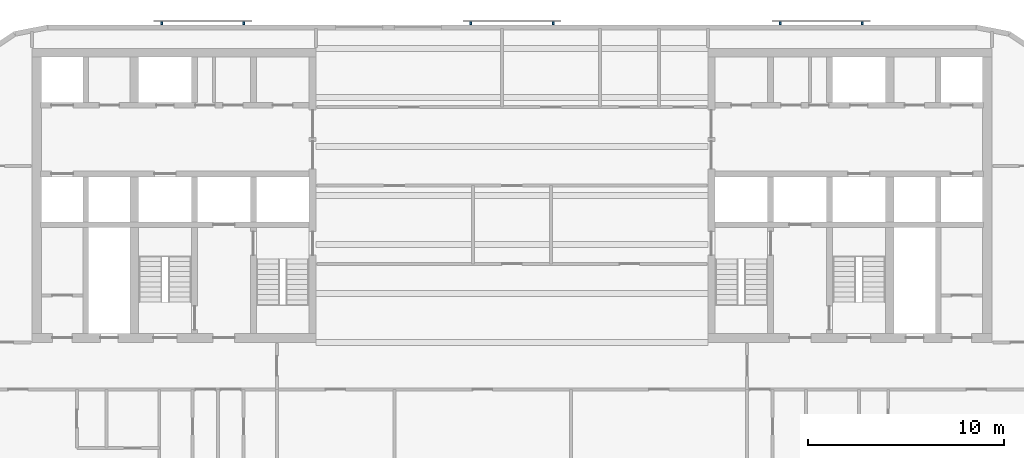
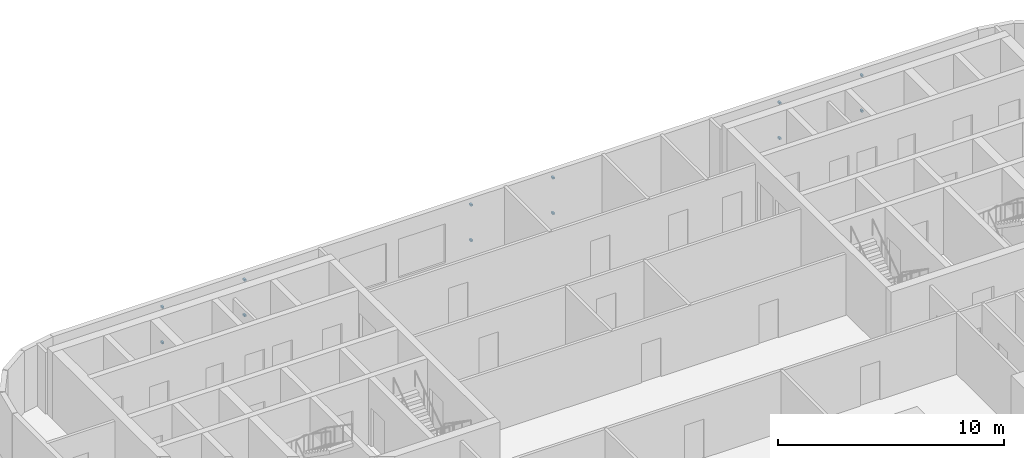
# One storey, part 8 of 11: 12 discrete accessories.
"""IFC4 building model written with IfcOpenShell, lengths in metres."""

import ifcopenshell
import ifcopenshell.guid

model = None  # the IFC model being written
_history = None  # IfcOwnerHistory: only IFC2X3 demands one
_inside = {}  # id of a spatial element -> (the spatial element, [elements in it])
_under = {}  # id of a project, library or spatial element -> (it, [spatial elements below it])
_declared = {}  # id of a project -> (the project, [libraries it declares])
_typed = {}  # id of a type object -> (the type object, [elements of that type])
_made_of = {}  # id of a material, layer set ... -> (it, [elements and type objects made of it])


def new_model(schema):
    """Start an empty IFC model of exactly this schema.

    Asked for "IFC4X3", IfcOpenShell would pick the latest addendum, in which some entities
    have other attributes; the version numbers below select the first issue.
    IFC2X3 requires an IfcOwnerHistory on every rooted entity: one is made here for all.
    """
    global model, _history
    if schema == "IFC4X3":
        model = ifcopenshell.file(schema_version=(4, 3, 0, 0))
    else:
        model = ifcopenshell.file(schema=schema)
    _inside.clear()
    _under.clear()
    _declared.clear()
    _typed.clear()
    _made_of.clear()
    _history = None
    if model.schema == "IFC2X3":
        org = make("IfcOrganization", Name="unknown")
        user = make(
            "IfcPersonAndOrganization",
            ThePerson=make("IfcPerson", FamilyName="unknown"),
            TheOrganization=org,
        )
        app = make(
            "IfcApplication",
            ApplicationDeveloper=org,
            Version="unknown",
            ApplicationFullName="unknown",
            ApplicationIdentifier="unknown",
        )
        _history = make(
            "IfcOwnerHistory",
            OwningUser=user,
            OwningApplication=app,
            ChangeAction="ADDED",
            CreationDate=0,
        )
    return model


def make(cls, **values):
    """One entity of the class cls with the attributes given. An attribute that is None is left unset."""
    return model.create_entity(
        cls, **{name: value for name, value in values.items() if value is not None}
    )


def rooted(cls, **values):
    """An entity with a GlobalId (a new one), such as an element, a storey or a relation."""
    return make(cls, GlobalId=ifcopenshell.guid.new(), OwnerHistory=_history, **values)


def si_unit(unit_type, name, prefix=None):
    """IfcSIUnit, for example si_unit("LENGTHUNIT", "METRE", prefix="MILLI")."""
    return make("IfcSIUnit", UnitType=unit_type, Prefix=prefix, Name=name)


def assignment(units):
    """IfcUnitAssignment: the units of a project."""
    return None if units is None else make("IfcUnitAssignment", Units=units)


def point(xyz):
    """IfcCartesianPoint."""
    return None if xyz is None else make("IfcCartesianPoint", Coordinates=xyz)


def direction(xyz):
    """IfcDirection."""
    return None if xyz is None else make("IfcDirection", DirectionRatios=xyz)


def frame(location, z_axis=None, x_axis=None):
    """IfcAxis2Placement3D, a coordinate frame: its origin and axes. An axis left out is left unset."""
    return make(
        "IfcAxis2Placement3D",
        Location=point(location),
        Axis=direction(z_axis),
        RefDirection=direction(x_axis),
    )


def frame_2d(location, x_axis=None):
    """IfcAxis2Placement2D, a coordinate frame in the plane: its origin and x axis."""
    return make(
        "IfcAxis2Placement2D", Location=point(location), RefDirection=direction(x_axis)
    )


def origin():
    """The frame at (0, 0, 0) with its axes left unset."""
    return frame((0.0, 0.0, 0.0))


def origin_2d():
    """The frame at (0, 0) in the plane with its x axis left unset."""
    return frame_2d((0.0, 0.0))


def place(relative_to, where):
    """IfcLocalPlacement: puts the frame where relative to a parent placement (None: the world)."""
    return make(
        "IfcLocalPlacement", PlacementRelTo=relative_to, RelativePlacement=where
    )


def context(
    kind, dimensions, precision=None, world=None, true_north=None, identifier=None
):
    """IfcGeometricRepresentationContext, for example the 3D "Model" context."""
    return make(
        "IfcGeometricRepresentationContext",
        ContextIdentifier=identifier,
        ContextType=kind,
        CoordinateSpaceDimension=dimensions,
        Precision=precision,
        WorldCoordinateSystem=world,
        TrueNorth=true_north,
    )


def subcontext(parent, identifier, kind, view, scale=None):
    """IfcGeometricRepresentationSubContext, for example "Body" below "Model"."""
    return make(
        "IfcGeometricRepresentationSubContext",
        ContextIdentifier=identifier,
        ContextType=kind,
        ParentContext=parent,
        TargetScale=scale,
        TargetView=view,
    )


def project(units=None, contexts=None):
    """IfcProject with its units and contexts."""
    return rooted(
        "IfcProject",
        Name="project",
        RepresentationContexts=contexts,
        UnitsInContext=assignment(units),
    )


def spatial(cls, under=None, at=None, **own):
    """A site, building, storey or space (cls), placed at a placement, below another one or the project."""
    s = rooted(cls, ObjectPlacement=at, **own)
    if under is not None:
        _under.setdefault(under.id(), (under, []))[1].append(s)
    return s


def profile(cls, at=None, kind="AREA", **sizes):
    """A parametric profile (cls). Its sizes go by their IFC names, for example OverallWidth=200.0."""
    return make(cls, ProfileType=kind, Position=at, **sizes)


def rectangle(**sizes):
    """IfcRectangleProfileDef."""
    return profile("IfcRectangleProfileDef", **sizes)


def extrude(swept, where, along, depth):
    """IfcExtrudedAreaSolid: the profile swept, set in the frame where, extruded along a direction by depth."""
    return make(
        "IfcExtrudedAreaSolid",
        SweptArea=swept,
        Position=where,
        ExtrudedDirection=direction(along),
        Depth=depth,
    )


def shape(context_of_items, identifier, shape_type, items):
    """IfcShapeRepresentation: the items that make up one representation, for example the "Body"."""
    return make(
        "IfcShapeRepresentation",
        ContextOfItems=context_of_items,
        RepresentationIdentifier=identifier,
        RepresentationType=shape_type,
        Items=items,
    )


def material(Name=None, Category=None):
    """IfcMaterial."""
    return make("IfcMaterial", Name=Name, Category=Category)


def made_of(thing, what):
    """Note that an element or type object is made of a material, layer set ...; save() writes the relation."""
    if what is not None:
        _made_of.setdefault(what.id(), (what, []))[1].append(thing)
    return thing


def type_object(cls, material=None, **own):
    """A type object (cls), such as IfcWallType, which elements share."""
    return made_of(rooted(cls, **own), material)


def element(
    cls,
    number,
    at=None,
    inside=None,
    cuts=None,
    type_object=None,
    material=None,
    context=None,
    identifier="Body",
    shape_type=None,
    held_by="IfcProductDefinitionShape",
    body=None,
    shapes=None,
    **own,
):
    """One element of the class cls, such as IfcWall. Its Tag is "e" and its number.

    at: its placement. inside: the storey or other place that contains it. cuts: it is an
    opening in that element (IfcRelVoidsElement). A single representation is given by context,
    identifier, shape_type and body (its items); several are given by shapes. held_by: the class
    of the entity that holds the representations. save() writes the other relations.
    """
    e = rooted(cls, Tag="e%d" % number, ObjectPlacement=at, **own)
    if body is not None:
        shapes = [shape(context, identifier, shape_type, body)]
    if shapes is not None:
        e.Representation = make(held_by, Representations=shapes)
    if inside is not None:
        _inside.setdefault(inside.id(), (inside, []))[1].append(e)
    if cuts is not None:
        rooted(
            "IfcRelVoidsElement", RelatingBuildingElement=cuts, RelatedOpeningElement=e
        )
    if type_object is not None:
        _typed.setdefault(type_object.id(), (type_object, []))[1].append(e)
    return made_of(e, material)


def aggregate(whole, parts):
    """IfcRelAggregates: a whole, such as a stair, and the parts it consists of."""
    return rooted("IfcRelAggregates", RelatingObject=whole, RelatedObjects=parts)


def save(model, path):
    """Write the relations noted so far, then the file.

    IfcRelAggregates (storeys below a building ...), IfcRelContainedInSpatialStructure (elements
    in a storey), IfcRelDefinesByType, IfcRelAssociatesMaterial and IfcRelDeclares: one each for
    every whole, place, type object, material and project.
    """
    for whole, parts in _under.values():
        aggregate(whole, parts)
    for where, things in _inside.values():
        rooted(
            "IfcRelContainedInSpatialStructure",
            RelatedElements=things,
            RelatingStructure=where,
        )
    for kind, things in _typed.values():
        rooted("IfcRelDefinesByType", RelatedObjects=things, RelatingType=kind)
    for what, things in _made_of.values():
        rooted("IfcRelAssociatesMaterial", RelatedObjects=things, RelatingMaterial=what)
    for by, libraries in _declared.values():
        rooted("IfcRelDeclares", RelatingContext=by, RelatedDefinitions=libraries)
    model.write(path)


model = new_model("IFC4")

# Units and contexts
model_context = context("Model", 3, precision=1e-05, world=origin(), true_north=direction((0.0, 1.0)))
body_context = subcontext(model_context, "Body", "Model", "MODEL_VIEW")
ifc_project = project(units=[si_unit("LENGTHUNIT", "METRE"), si_unit("AREAUNIT", "SQUARE_METRE"), si_unit("VOLUMEUNIT", "CUBIC_METRE"), si_unit("PLANEANGLEUNIT", "RADIAN"), si_unit("MASSUNIT", "GRAM", prefix="KILO")], contexts=[model_context])

# Site, building, storey
site_placement = place(None, origin())
site = spatial("IfcSite", under=ifc_project, at=site_placement, CompositionType="ELEMENT")
building_placement = place(site_placement, origin())
building = spatial("IfcBuilding", under=site, at=building_placement, Name="Torana Hotel and Residences", CompositionType="ELEMENT")
storey_placement = place(building_placement, frame((0.0, 0.0, 134.39990234375)))
storey = spatial("IfcBuildingStorey", under=building, at=storey_placement, Name="L34", CompositionType="ELEMENT", Elevation=134.39990234375)

# Discrete accessories
ifc_material = material(Name="Steel S355", Category="steel")
discrete_accessory_type = type_object("IfcDiscreteAccessoryType", Name="SCREEN BRACKET 100", PredefinedType="BRACKET", material=ifc_material)
for number, where, z_axis, x_axis, name in (
    (1, (17.883544921875, 1.27490234375, 0.75), (0.0, 0.0, 1.0), (-1.0, 0.0, 0.0), "Screen bracket L34"),
    (2, (17.883544921875, 1.27490234375, 2.670166015625), (0.0, 0.0, 1.0), (-1.0, 0.0, 0.0), "Screen bracket L34"),
    (3, (13.68359375, 1.27490234375, 0.75), (0.0, 0.0, 1.0), (-1.0, 0.0, 0.0), "Screen bracket L34"),
    (4, (13.68359375, 1.27490234375, 2.670166015625), (0.0, 0.0, 1.0), (-1.0, 0.0, 0.0), "Screen bracket L34"),
    (5, (2.10009765625, 1.27490234375, 0.75), (0.0, 0.0, 1.0), (-1.0, 0.0, 0.0), "Screen bracket L34"),
    (6, (2.10009765625, 1.27490234375, 2.670166015625), (0.0, 0.0, 1.0), (-1.0, 0.0, 0.0), "Screen bracket L34"),
    (7, (-2.10009765625, 1.27490234375, 0.75), (0.0, 0.0, 1.0), (-1.0, 0.0, 0.0), "Screen bracket L34"),
    (8, (-2.10009765625, 1.27490234375, 2.670166015625), (0.0, 0.0, 1.0), (-1.0, 0.0, 0.0), "Screen bracket L34"),
    (9, (-13.68359375, 1.27490234375, 0.75), (0.0, 0.0, 1.0), (-1.0, 0.0, 0.0), "Screen bracket L34"),
    (10, (-13.68359375, 1.27490234375, 2.670166015625), (0.0, 0.0, 1.0), (-1.0, 0.0, 0.0), "Screen bracket L34"),
    (11, (-17.883544921875, 1.27490234375, 0.75), (0.0, 0.0, 1.0), (-1.0, 0.0, 0.0), "Screen bracket L34"),
    (12, (-17.883544921875, 1.27490234375, 2.670166015625), (0.0, 0.0, 1.0), (-1.0, 0.0, 0.0), "Screen bracket L34"),
):
    element("IfcDiscreteAccessory", number, at=place(storey_placement, frame(where, z_axis=z_axis, x_axis=x_axis)), inside=storey, type_object=discrete_accessory_type, Name=name, PredefinedType="BRACKET", context=body_context, shape_type="SweptSolid", body=[
        extrude(rectangle(XDim=0.10009765625, YDim=0.14990234375, at=origin_2d()), origin(), (0.0, 0.0, 1.0), 0.10009765625),
    ])

save(model, "model.ifc")
